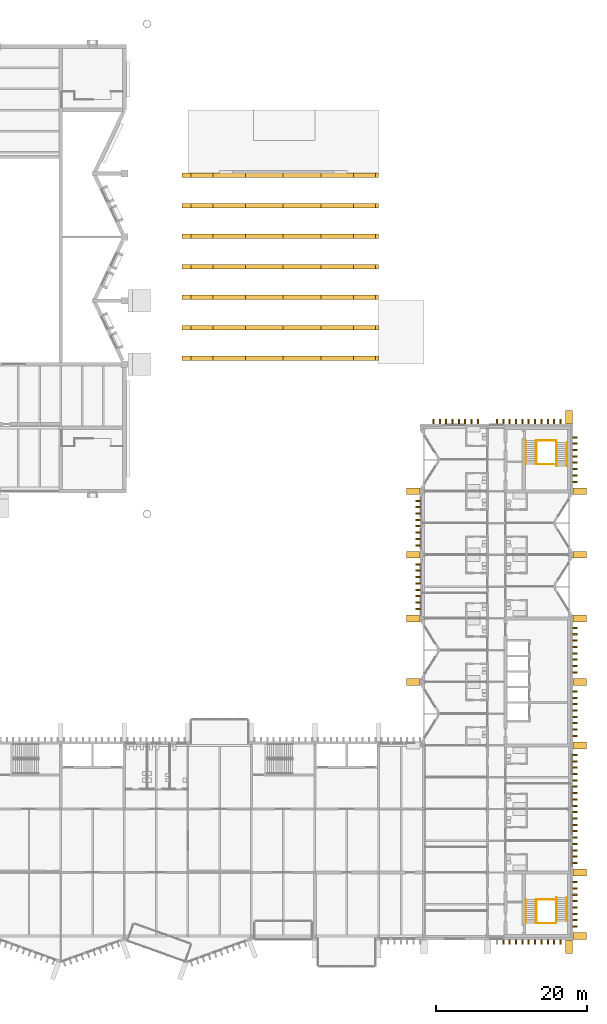
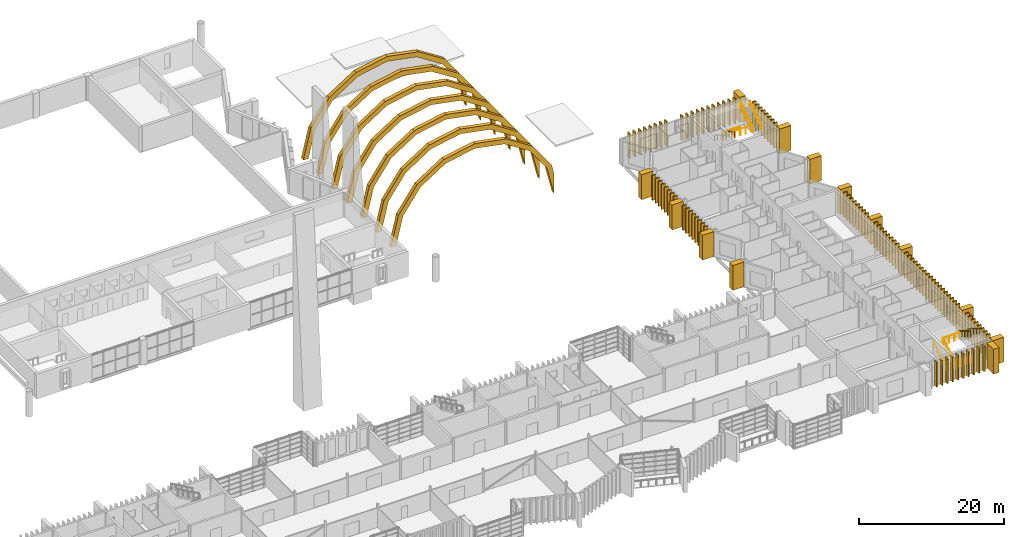
# One storey, part 87 of 88: 115 coverings, 16 railings.
"""IFC4 building model written with IfcOpenShell, lengths in metres."""

from ifc_helpers import new_model, si_unit, direction, frame, origin, origin_2d, place, context, subcontext, project, spatial, polyline, rectangle, circle, outline, extrude, material, type_object, element, save


model = new_model("IFC4")

# Units and contexts
model_context = context("Model", 3, precision=1e-05, world=origin(), true_north=direction((0.0, 1.0)))
body_context = subcontext(model_context, "Body", "Model", "MODEL_VIEW")
ifc_project = project(units=[si_unit("LENGTHUNIT", "METRE"), si_unit("AREAUNIT", "SQUARE_METRE"), si_unit("VOLUMEUNIT", "CUBIC_METRE"), si_unit("PLANEANGLEUNIT", "RADIAN"), si_unit("MASSUNIT", "GRAM", prefix="KILO")], contexts=[model_context])

# Site, building, storey
site_placement = place(None, origin())
site = spatial("IfcSite", under=ifc_project, at=site_placement, CompositionType="ELEMENT")
building_placement = place(site_placement, origin())
building = spatial("IfcBuilding", under=site, at=building_placement, Name="Cresset Court Congress Hotel", CompositionType="ELEMENT")
storey_placement = place(building_placement, frame((0.0, 0.0, 14.39990234375)))
storey = spatial("IfcBuildingStorey", under=building, at=storey_placement, Name="L03", CompositionType="ELEMENT", Elevation=14.39990234375)

# Coverings
ifc_material_1 = material(Name="Precast concrete C50", Category="concrete")
covering_type_1 = type_object("IfcCoveringType", Name="Precast stone fin 200x600", PredefinedType="CLADDING", material=ifc_material_1)
for number, where, z_axis, x_axis, name in (
    (1, (177.199951171875, 1.260009765625, 0.0), (0.0, 0.0, 1.0), (1.0, 0.0, 0.0), "Fin E002"),
    (2, (177.199951171875, 2.10009765625, 0.0), (0.0, 0.0, 1.0), (1.0, 0.0, 0.0), "Fin E003"),
    (3, (177.199951171875, 2.93994140625, 0.0), (0.0, 0.0, 1.0), (1.0, 0.0, 0.0), "Fin E004"),
    (4, (177.199951171875, 3.780029296875, 0.0), (0.0, 0.0, 1.0), (1.0, 0.0, 0.0), "Fin E005"),
    (5, (177.199951171875, 4.6201171875, 0.0), (0.0, 0.0, 1.0), (1.0, 0.0, 0.0), "Fin E006"),
    (6, (177.199951171875, 5.4599609375, 0.0), (0.0, 0.0, 1.0), (1.0, 0.0, 0.0), "Fin E007"),
    (7, (177.199951171875, 6.300048828125, 0.0), (0.0, 0.0, 1.0), (1.0, 0.0, 0.0), "Fin E008"),
    (8, (177.199951171875, 7.139892578125, 0.0), (0.0, 0.0, 1.0), (1.0, 0.0, 0.0), "Fin E009"),
    (9, (177.199951171875, 9.659912109375, 0.0), (0.0, 0.0, 1.0), (1.0, 0.0, 0.0), "Fin E012"),
    (10, (177.199951171875, 10.5, 0.0), (0.0, 0.0, 1.0), (1.0, 0.0, 0.0), "Fin E013"),
    (11, (177.199951171875, 11.340087890625, 0.0), (0.0, 0.0, 1.0), (1.0, 0.0, 0.0), "Fin E014"),
    (12, (177.199951171875, 12.179931640625, 0.0), (0.0, 0.0, 1.0), (1.0, 0.0, 0.0), "Fin E015"),
    (13, (177.199951171875, 13.02001953125, 0.0), (0.0, 0.0, 1.0), (1.0, 0.0, 0.0), "Fin E016"),
    (14, (177.199951171875, 13.860107421875, 0.0), (0.0, 0.0, 1.0), (1.0, 0.0, 0.0), "Fin E017"),
    (15, (177.199951171875, 14.699951171875, 0.0), (0.0, 0.0, 1.0), (1.0, 0.0, 0.0), "Fin E018"),
    (16, (177.199951171875, 15.5400390625, 0.0), (0.0, 0.0, 1.0), (1.0, 0.0, 0.0), "Fin E019"),
    (17, (177.199951171875, 16.3798828125, 0.0), (0.0, 0.0, 1.0), (1.0, 0.0, 0.0), "Fin E020"),
    (18, (177.199951171875, 17.219970703125, 0.0), (0.0, 0.0, 1.0), (1.0, 0.0, 0.0), "Fin E021"),
    (19, (177.199951171875, 18.06005859375, 0.0), (0.0, 0.0, 1.0), (1.0, 0.0, 0.0), "Fin E022"),
    (20, (177.199951171875, 18.89990234375, 0.0), (0.0, 0.0, 1.0), (1.0, 0.0, 0.0), "Fin E023"),
    (21, (177.199951171875, 19.739990234375, 0.0), (0.0, 0.0, 1.0), (1.0, 0.0, 0.0), "Fin E024"),
    (22, (177.199951171875, 20.580078125, 0.0), (0.0, 0.0, 1.0), (1.0, 0.0, 0.0), "Fin E025"),
    (23, (177.199951171875, 21.419921875, 0.0), (0.0, 0.0, 1.0), (1.0, 0.0, 0.0), "Fin E026"),
    (24, (177.199951171875, 22.260009765625, 0.0), (0.0, 0.0, 1.0), (1.0, 0.0, 0.0), "Fin E027"),
    (25, (177.199951171875, 23.10009765625, 0.0), (0.0, 0.0, 1.0), (1.0, 0.0, 0.0), "Fin E028"),
    (26, (177.199951171875, 23.93994140625, 0.0), (0.0, 0.0, 1.0), (1.0, 0.0, 0.0), "Fin E029"),
    (27, (177.199951171875, 26.4599609375, 0.0), (0.0, 0.0, 1.0), (1.0, 0.0, 0.0), "Fin E032"),
    (28, (177.199951171875, 27.300048828125, 0.0), (0.0, 0.0, 1.0), (1.0, 0.0, 0.0), "Fin E033"),
    (29, (177.199951171875, 28.139892578125, 0.0), (0.0, 0.0, 1.0), (1.0, 0.0, 0.0), "Fin E034"),
    (30, (177.199951171875, 28.97998046875, 0.0), (0.0, 0.0, 1.0), (1.0, 0.0, 0.0), "Fin E035"),
    (31, (177.199951171875, 29.820068359375, 0.0), (0.0, 0.0, 1.0), (1.0, 0.0, 0.0), "Fin E036"),
    (32, (177.199951171875, 30.659912109375, 0.0), (0.0, 0.0, 1.0), (1.0, 0.0, 0.0), "Fin E037"),
    (33, (177.199951171875, 31.5, 0.0), (0.0, 0.0, 1.0), (1.0, 0.0, 0.0), "Fin E038"),
    (34, (177.199951171875, 32.340087890625, 0.0), (0.0, 0.0, 1.0), (1.0, 0.0, 0.0), "Fin E039"),
    (35, (177.199951171875, 34.860107421875, 0.0), (0.0, 0.0, 1.0), (1.0, 0.0, 0.0), "Fin E042"),
    (36, (177.199951171875, 35.699951171875, 0.0), (0.0, 0.0, 1.0), (1.0, 0.0, 0.0), "Fin E043"),
    (37, (177.199951171875, 36.5400390625, 0.0), (0.0, 0.0, 1.0), (1.0, 0.0, 0.0), "Fin E044"),
    (38, (177.199951171875, 37.3798828125, 0.0), (0.0, 0.0, 1.0), (1.0, 0.0, 0.0), "Fin E045"),
    (39, (177.199951171875, 38.219970703125, 0.0), (0.0, 0.0, 1.0), (1.0, 0.0, 0.0), "Fin E046"),
    (40, (177.199951171875, 39.06005859375, 0.0), (0.0, 0.0, 1.0), (1.0, 0.0, 0.0), "Fin E047"),
    (41, (177.199951171875, 39.89990234375, 0.0), (0.0, 0.0, 1.0), (1.0, 0.0, 0.0), "Fin E048"),
    (42, (177.199951171875, 40.739990234375, 0.0), (0.0, 0.0, 1.0), (1.0, 0.0, 0.0), "Fin E049"),
    (43, (177.199951171875, 60.06005859375, 0.0), (0.0, 0.0, 1.0), (1.0, 0.0, 0.0), "Fin E072"),
    (44, (177.199951171875, 60.89990234375, 0.0), (0.0, 0.0, 1.0), (1.0, 0.0, 0.0), "Fin E073"),
    (45, (177.199951171875, 61.739990234375, 0.0), (0.0, 0.0, 1.0), (1.0, 0.0, 0.0), "Fin E074"),
    (46, (177.199951171875, 62.580078125, 0.0), (0.0, 0.0, 1.0), (1.0, 0.0, 0.0), "Fin E075"),
    (47, (177.199951171875, 63.419921875, 0.0), (0.0, 0.0, 1.0), (1.0, 0.0, 0.0), "Fin E076"),
    (48, (177.199951171875, 64.260009765625, 0.0), (0.0, 0.0, 1.0), (1.0, 0.0, 0.0), "Fin E077"),
    (49, (177.199951171875, 65.10009765625, 0.0), (0.0, 0.0, 1.0), (1.0, 0.0, 0.0), "Fin E078"),
    (50, (177.199951171875, 65.93994140625, 0.0), (0.0, 0.0, 1.0), (1.0, 0.0, 0.0), "Fin E079"),
    (51, (156.39990234375, 43.260009765625, 0.0), (0.0, 0.0, 1.0), (1.0, 0.0, 0.0), "Fin W052"),
    (52, (156.39990234375, 44.10009765625, 0.0), (0.0, 0.0, 1.0), (1.0, 0.0, 0.0), "Fin W053"),
    (53, (156.39990234375, 44.93994140625, 0.0), (0.0, 0.0, 1.0), (1.0, 0.0, 0.0), "Fin W054"),
    (54, (156.39990234375, 45.780029296875, 0.0), (0.0, 0.0, 1.0), (1.0, 0.0, 0.0), "Fin W055"),
    (55, (156.39990234375, 46.6201171875, 0.0), (0.0, 0.0, 1.0), (1.0, 0.0, 0.0), "Fin W056"),
    (56, (156.39990234375, 47.4599609375, 0.0), (0.0, 0.0, 1.0), (1.0, 0.0, 0.0), "Fin W057"),
    (57, (156.39990234375, 48.300048828125, 0.0), (0.0, 0.0, 1.0), (1.0, 0.0, 0.0), "Fin W058"),
    (58, (156.39990234375, 49.139892578125, 0.0), (0.0, 0.0, 1.0), (1.0, 0.0, 0.0), "Fin W059"),
    (59, (156.39990234375, 51.659912109375, 0.0), (0.0, 0.0, 1.0), (1.0, 0.0, 0.0), "Fin W062"),
    (60, (156.39990234375, 52.5, 0.0), (0.0, 0.0, 1.0), (1.0, 0.0, 0.0), "Fin W063"),
    (61, (156.39990234375, 53.340087890625, 0.0), (0.0, 0.0, 1.0), (1.0, 0.0, 0.0), "Fin W064"),
    (62, (156.39990234375, 54.179931640625, 0.0), (0.0, 0.0, 1.0), (1.0, 0.0, 0.0), "Fin W065"),
    (63, (156.39990234375, 55.02001953125, 0.0), (0.0, 0.0, 1.0), (1.0, 0.0, 0.0), "Fin W066"),
    (64, (156.39990234375, 55.860107421875, 0.0), (0.0, 0.0, 1.0), (1.0, 0.0, 0.0), "Fin W067"),
    (65, (156.39990234375, 56.699951171875, 0.0), (0.0, 0.0, 1.0), (1.0, 0.0, 0.0), "Fin W068"),
    (66, (156.39990234375, 57.5400390625, 0.0), (0.0, 0.0, 1.0), (1.0, 0.0, 0.0), "Fin W069"),
):
    element("IfcCovering", number, at=place(storey_placement, frame(where, z_axis=z_axis, x_axis=x_axis)), inside=storey, type_object=covering_type_1, Name=name, PredefinedType="CLADDING", context=body_context, shape_type="SweptSolid", body=[
        extrude(rectangle(XDim=0.60009765625, YDim=0.199951171875, at=origin_2d()), origin(), (0.0, 0.0, 1.0), 4.199951171875),
    ])
for number, where, z_axis, x_axis, name in (
    (67, (167.699951171875, -0.800048828125, 0.0), (0.0, 0.0, 1.0), (1.0, 0.0, 0.0), "Fin S013"),
    (68, (168.5400390625, -0.800048828125, 0.0), (0.0, 0.0, 1.0), (1.0, 0.0, 0.0), "Fin S014"),
    (69, (169.3798828125, -0.800048828125, 0.0), (0.0, 0.0, 1.0), (1.0, 0.0, 0.0), "Fin S015"),
    (70, (170.219970703125, -0.800048828125, 0.0), (0.0, 0.0, 1.0), (1.0, 0.0, 0.0), "Fin S016"),
    (71, (171.06005859375, -0.800048828125, 0.0), (0.0, 0.0, 1.0), (1.0, 0.0, 0.0), "Fin S017"),
    (72, (171.89990234375, -0.800048828125, 0.0), (0.0, 0.0, 1.0), (1.0, 0.0, 0.0), "Fin S018"),
    (73, (172.739990234375, -0.800048828125, 0.0), (0.0, 0.0, 1.0), (1.0, 0.0, 0.0), "Fin S019"),
    (74, (173.580078125, -0.800048828125, 0.0), (0.0, 0.0, 1.0), (1.0, 0.0, 0.0), "Fin S020"),
    (75, (174.419921875, -0.800048828125, 0.0), (0.0, 0.0, 1.0), (1.0, 0.0, 0.0), "Fin S021"),
    (76, (175.260009765625, -0.800048828125, 0.0), (0.0, 0.0, 1.0), (1.0, 0.0, 0.0), "Fin S022"),
    (77, (158.4599609375, 68.0, 0.0), (0.0, 0.0, 1.0), (1.0, 0.0, 0.0), "Fin N002"),
    (78, (159.300048828125, 68.0, 0.0), (0.0, 0.0, 1.0), (1.0, 0.0, 0.0), "Fin N003"),
    (79, (160.139892578125, 68.0, 0.0), (0.0, 0.0, 1.0), (1.0, 0.0, 0.0), "Fin N004"),
    (80, (160.97998046875, 68.0, 0.0), (0.0, 0.0, 1.0), (1.0, 0.0, 0.0), "Fin N005"),
    (81, (161.820068359375, 68.0, 0.0), (0.0, 0.0, 1.0), (1.0, 0.0, 0.0), "Fin N006"),
    (82, (162.659912109375, 68.0, 0.0), (0.0, 0.0, 1.0), (1.0, 0.0, 0.0), "Fin N007"),
    (83, (163.5, 68.0, 0.0), (0.0, 0.0, 1.0), (1.0, 0.0, 0.0), "Fin N008"),
    (84, (164.340087890625, 68.0, 0.0), (0.0, 0.0, 1.0), (1.0, 0.0, 0.0), "Fin N009"),
    (85, (166.860107421875, 68.0, 0.0), (0.0, 0.0, 1.0), (1.0, 0.0, 0.0), "Fin N012"),
    (86, (167.699951171875, 68.0, 0.0), (0.0, 0.0, 1.0), (1.0, 0.0, 0.0), "Fin N013"),
    (87, (168.5400390625, 68.0, 0.0), (0.0, 0.0, 1.0), (1.0, 0.0, 0.0), "Fin N014"),
    (88, (169.3798828125, 68.0, 0.0), (0.0, 0.0, 1.0), (1.0, 0.0, 0.0), "Fin N015"),
    (89, (170.219970703125, 68.0, 0.0), (0.0, 0.0, 1.0), (1.0, 0.0, 0.0), "Fin N016"),
    (90, (171.06005859375, 68.0, 0.0), (0.0, 0.0, 1.0), (1.0, 0.0, 0.0), "Fin N017"),
    (91, (171.89990234375, 68.0, 0.0), (0.0, 0.0, 1.0), (1.0, 0.0, 0.0), "Fin N018"),
    (92, (172.739990234375, 68.0, 0.0), (0.0, 0.0, 1.0), (1.0, 0.0, 0.0), "Fin N019"),
    (93, (173.580078125, 68.0, 0.0), (0.0, 0.0, 1.0), (1.0, 0.0, 0.0), "Fin N020"),
    (94, (174.419921875, 68.0, 0.0), (0.0, 0.0, 1.0), (1.0, 0.0, 0.0), "Fin N021"),
    (95, (175.260009765625, 68.0, 0.0), (0.0, 0.0, 1.0), (1.0, 0.0, 0.0), "Fin N022"),
):
    element("IfcCovering", number, at=place(storey_placement, frame(where, z_axis=z_axis, x_axis=x_axis)), inside=storey, type_object=covering_type_1, Name=name, PredefinedType="CLADDING", context=body_context, shape_type="SweptSolid", body=[
        extrude(rectangle(XDim=0.199951171875, YDim=0.60009765625, at=origin_2d()), origin(), (0.0, 0.0, 1.0), 4.199951171875),
    ])
ifc_material_2 = material(Name="Precast concrete C50", Category="concrete")
covering_type_2 = type_object("IfcCoveringType", Name="Precast stone pier 900x1800", PredefinedType="CLADDING", material=ifc_material_2)
for number, where, z_axis, x_axis, name in (
    (96, (177.800048828125, 0.0, 0.0), (0.0, 0.0, 1.0), (1.0, 0.0, 0.0), "Pier E01"),
    (97, (177.800048828125, 8.39990234375, 0.0), (0.0, 0.0, 1.0), (1.0, 0.0, 0.0), "Pier E02"),
    (98, (177.800048828125, 25.199951171875, 0.0), (0.0, 0.0, 1.0), (1.0, 0.0, 0.0), "Pier E03"),
    (99, (177.800048828125, 33.60009765625, 0.0), (0.0, 0.0, 1.0), (1.0, 0.0, 0.0), "Pier E04"),
    (100, (177.800048828125, 42.0, 0.0), (0.0, 0.0, 1.0), (1.0, 0.0, 0.0), "Pier E05"),
    (101, (177.800048828125, 50.39990234375, 0.0), (0.0, 0.0, 1.0), (1.0, 0.0, 0.0), "Pier E06"),
    (102, (177.800048828125, 58.800048828125, 0.0), (0.0, 0.0, 1.0), (1.0, 0.0, 0.0), "Pier E07"),
    (103, (155.800048828125, 33.60009765625, 0.0), (0.0, 0.0, 1.0), (1.0, 0.0, 0.0), "Pier W05"),
    (104, (155.800048828125, 42.0, 0.0), (0.0, 0.0, 1.0), (1.0, 0.0, 0.0), "Pier W06"),
    (105, (155.800048828125, 50.39990234375, 0.0), (0.0, 0.0, 1.0), (1.0, 0.0, 0.0), "Pier W07"),
    (106, (155.800048828125, 58.800048828125, 0.0), (0.0, 0.0, 1.0), (1.0, 0.0, 0.0), "Pier W08"),
):
    element("IfcCovering", number, at=place(storey_placement, frame(where, z_axis=z_axis, x_axis=x_axis)), inside=storey, type_object=covering_type_2, Name=name, PredefinedType="CLADDING", context=body_context, shape_type="SweptSolid", body=[
        extrude(rectangle(XDim=1.800048828125, YDim=0.89990234375, at=origin_2d()), origin(), (0.0, 0.0, 1.0), 4.199951171875),
    ])
for number, where, z_axis, x_axis, name in (
    (107, (176.39990234375, -1.39990234375, 0.0), (0.0, 0.0, 1.0), (1.0, 0.0, 0.0), "Pier S03"),
    (108, (176.39990234375, 68.60009765625, 0.0), (0.0, 0.0, 1.0), (1.0, 0.0, 0.0), "Pier N03"),
):
    element("IfcCovering", number, at=place(storey_placement, frame(where, z_axis=z_axis, x_axis=x_axis)), inside=storey, type_object=covering_type_2, Name=name, PredefinedType="CLADDING", context=body_context, shape_type="SweptSolid", body=[
        extrude(rectangle(XDim=0.89990234375, YDim=1.800048828125, at=origin_2d()), origin(), (0.0, 0.0, 1.0), 4.199951171875),
    ])
ifc_material_3 = material(Name="Precast concrete C50", Category="concrete")
covering_type_3 = type_object("IfcCoveringType", Name="Precast vault extrados rib 600x800", PredefinedType="CLADDING", material=ifc_material_3)
for number, where, name in (
    (109, (0.0, 76.39990234375, -14.39990234375), "Vault extrados rib 1"),
    (110, (0.0, 80.433349609375, -14.39990234375), "Vault extrados rib 2"),
    (111, (0.0, 84.466796875, -14.39990234375), "Vault extrados rib 3"),
    (112, (0.0, 88.5, -14.39990234375), "Vault extrados rib 4"),
    (113, (0.0, 92.533203125, -14.39990234375), "Vault extrados rib 5"),
    (114, (0.0, 96.566650390625, -14.39990234375), "Vault extrados rib 6"),
    (115, (0.0, 100.60009765625, -14.39990234375), "Vault extrados rib 7"),
):
    element("IfcCovering", number, at=place(storey_placement, frame(where)), inside=storey, type_object=covering_type_3, Name=name, PredefinedType="CLADDING", context=body_context, shape_type="SweptSolid", body=[
        extrude(outline(polyline([(126.388916015625, 10.974609375), (129.338134765625, 15.110107421875), (133.6123046875, 17.854248046875), (138.60009765625, 18.814697265625), (143.587646484375, 17.854248046875), (147.86181640625, 15.110107421875), (150.811279296875, 10.974609375), (151.199951171875, 9.359130859375), (151.199951171875, 6.0), (150.0703125, 10.635498046875), (147.300048828125, 14.52001953125), (143.28515625, 17.09765625), (138.60009765625, 18.0), (133.914794921875, 17.09765625), (129.89990234375, 14.52001953125), (127.129638671875, 10.635498046875), (126.0, 6.0), (125.200927734375, 6.0390625), (126.388916015625, 10.974609375)])), frame((0.0, 0.300048828125, 0.0), z_axis=(0.0, -1.0, 0.0), x_axis=(1.0, 0.0, 0.0)), (0.0, 0.0, 1.0), 0.60009765625),
    ])

# Railings
ifc_material_4 = material(Name="Stainless steel", Category="steel")
railing_type_1 = type_object("IfcRailingType", Name="Stair guard 1100", PredefinedType="GUARDRAIL", material=ifc_material_4)
railing_1_placement = place(storey_placement, frame((172.10009765625, 1.699951171875, 0.16162109375)))
element("IfcRailing", 116, at=railing_1_placement, inside=storey, type_object=railing_type_1, Name="Guard A1 L03", PredefinedType="GUARDRAIL", context=body_context, shape_type="SweptSolid", body=[
    extrude(circle(Radius=0.02392578125, at=origin_2d()), frame((0.0, 0.0, 1.076171875), z_axis=(0.0, 0.849414166554, 0.527726798313), x_axis=(-1.0, 0.0, 0.0)), (0.0, 0.0, 1.0), 3.67333984375),
    extrude(circle(Radius=0.02099609375, at=origin_2d()), origin(), (0.0, 0.0, 1.0), 1.052001953125),
    extrude(circle(Radius=0.02099609375, at=origin_2d()), frame((0.0, 0.780029296875, 0.484619140625)), (0.0, 0.0, 1.0), 1.052001953125),
    extrude(circle(Radius=0.02099609375, at=origin_2d()), frame((0.0, 1.56005859375, 0.96923828125)), (0.0, 0.0, 1.0), 1.052001953125),
    extrude(circle(Radius=0.02099609375, at=origin_2d()), frame((0.0, 2.340087890625, 1.453857421875)), (0.0, 0.0, 1.0), 1.052001953125),
    extrude(circle(Radius=0.02099609375, at=origin_2d()), frame((0.0, 3.1201171875, 1.9384765625)), (0.0, 0.0, 1.0), 1.052001953125),
])
railing_2_placement = place(storey_placement, frame((174.699951171875, 5.080078125, 2.26171875)))
element("IfcRailing", 117, at=railing_2_placement, inside=storey, type_object=railing_type_1, Name="Guard A1 L03", PredefinedType="GUARDRAIL", context=body_context, shape_type="SweptSolid", body=[
    extrude(circle(Radius=0.02392578125, at=origin_2d()), frame((0.0, 0.0, 1.076171875), z_axis=(0.0, -0.849414166554, 0.527726798313), x_axis=(1.0, 0.0, 0.0)), (0.0, 0.0, 1.0), 3.67333984375),
    extrude(circle(Radius=0.02099609375, at=origin_2d()), origin(), (0.0, 0.0, 1.0), 1.052001953125),
    extrude(circle(Radius=0.02099609375, at=origin_2d()), frame((0.0, -0.780029296875, 0.484619140625)), (0.0, 0.0, 1.0), 1.052001953125),
    extrude(circle(Radius=0.02099609375, at=origin_2d()), frame((0.0, -1.56005859375, 0.96923828125)), (0.0, 0.0, 1.0), 1.052001953125),
    extrude(circle(Radius=0.02099609375, at=origin_2d()), frame((0.0, -2.340087890625, 1.453857421875)), (0.0, 0.0, 1.0), 1.052001953125),
    extrude(circle(Radius=0.02099609375, at=origin_2d()), frame((0.0, -3.1201171875, 1.9384765625)), (0.0, 0.0, 1.0), 1.052001953125),
])
for number, where, name in (
    (118, (172.10009765625, 1.699951171875, 0.0), "Guard A1 L03"),
    (119, (172.10009765625, 4.820068359375, 2.10009765625), "Guard A1 L03"),
):
    element("IfcRailing", number, at=place(storey_placement, frame(where)), inside=storey, type_object=railing_type_1, Name=name, PredefinedType="GUARDRAIL", context=body_context, shape_type="SweptSolid", body=[
        extrude(circle(Radius=0.02392578125, at=origin_2d()), frame((0.0, 0.0, 1.076171875), z_axis=(1.0, 0.0, 0.0), x_axis=(0.0, 1.0, 0.0)), (0.0, 0.0, 1.0), 2.599853515625),
        extrude(circle(Radius=0.02099609375, at=origin_2d()), origin(), (0.0, 0.0, 1.0), 1.052001953125),
        extrude(circle(Radius=0.02099609375, at=origin_2d()), frame((0.86669921875, 0.0, 0.0)), (0.0, 0.0, 1.0), 1.052001953125),
        extrude(circle(Radius=0.02099609375, at=origin_2d()), frame((1.733154296875, 0.0, 0.0)), (0.0, 0.0, 1.0), 1.052001953125),
        extrude(circle(Radius=0.02099609375, at=origin_2d()), frame((2.599853515625, 0.0, 0.0)), (0.0, 0.0, 1.0), 1.052001953125),
    ])
railing_3_placement = place(storey_placement, frame((172.10009765625, 65.5, 0.16162109375)))
element("IfcRailing", 120, at=railing_3_placement, inside=storey, type_object=railing_type_1, Name="Guard A2 L03", PredefinedType="GUARDRAIL", context=body_context, shape_type="SweptSolid", body=[
    extrude(circle(Radius=0.02392578125, at=origin_2d()), frame((0.0, 0.0, 1.076171875), z_axis=(0.0, -0.849414166554, 0.527726798313), x_axis=(1.0, 0.0, 0.0)), (0.0, 0.0, 1.0), 3.67333984375),
    extrude(circle(Radius=0.02099609375, at=origin_2d()), origin(), (0.0, 0.0, 1.0), 1.052001953125),
    extrude(circle(Radius=0.02099609375, at=origin_2d()), frame((0.0, -0.780029296875, 0.484619140625)), (0.0, 0.0, 1.0), 1.052001953125),
    extrude(circle(Radius=0.02099609375, at=origin_2d()), frame((0.0, -1.56005859375, 0.96923828125)), (0.0, 0.0, 1.0), 1.052001953125),
    extrude(circle(Radius=0.02099609375, at=origin_2d()), frame((0.0, -2.340087890625, 1.453857421875)), (0.0, 0.0, 1.0), 1.052001953125),
    extrude(circle(Radius=0.02099609375, at=origin_2d()), frame((0.0, -3.1201171875, 1.9384765625)), (0.0, 0.0, 1.0), 1.052001953125),
])
railing_4_placement = place(storey_placement, frame((174.699951171875, 62.1201171875, 2.26171875)))
element("IfcRailing", 121, at=railing_4_placement, inside=storey, type_object=railing_type_1, Name="Guard A2 L03", PredefinedType="GUARDRAIL", context=body_context, shape_type="SweptSolid", body=[
    extrude(circle(Radius=0.02392578125, at=origin_2d()), frame((0.0, 0.0, 1.076171875), z_axis=(0.0, 0.849395654964, 0.52775659288), x_axis=(-1.0, 0.0, 0.0)), (0.0, 0.0, 1.0), 3.673095703125),
    extrude(circle(Radius=0.02099609375, at=origin_2d()), origin(), (0.0, 0.0, 1.0), 1.052001953125),
    extrude(circle(Radius=0.02099609375, at=origin_2d()), frame((0.0, 0.780029296875, 0.484619140625)), (0.0, 0.0, 1.0), 1.052001953125),
    extrude(circle(Radius=0.02099609375, at=origin_2d()), frame((0.0, 1.56005859375, 0.96923828125)), (0.0, 0.0, 1.0), 1.052001953125),
    extrude(circle(Radius=0.02099609375, at=origin_2d()), frame((0.0, 2.33984375, 1.453857421875)), (0.0, 0.0, 1.0), 1.052001953125),
    extrude(circle(Radius=0.02099609375, at=origin_2d()), frame((0.0, 3.119873046875, 1.9384765625)), (0.0, 0.0, 1.0), 1.052001953125),
])
for number, where, name in (
    (122, (172.10009765625, 65.5, 0.0), "Guard A2 L03"),
    (123, (172.10009765625, 62.3798828125, 2.10009765625), "Guard A2 L03"),
):
    element("IfcRailing", number, at=place(storey_placement, frame(where)), inside=storey, type_object=railing_type_1, Name=name, PredefinedType="GUARDRAIL", context=body_context, shape_type="SweptSolid", body=[
        extrude(circle(Radius=0.02392578125, at=origin_2d()), frame((0.0, 0.0, 1.076171875), z_axis=(1.0, 0.0, 0.0), x_axis=(0.0, 1.0, 0.0)), (0.0, 0.0, 1.0), 2.599853515625),
        extrude(circle(Radius=0.02099609375, at=origin_2d()), origin(), (0.0, 0.0, 1.0), 1.052001953125),
        extrude(circle(Radius=0.02099609375, at=origin_2d()), frame((0.86669921875, 0.0, 0.0)), (0.0, 0.0, 1.0), 1.052001953125),
        extrude(circle(Radius=0.02099609375, at=origin_2d()), frame((1.733154296875, 0.0, 0.0)), (0.0, 0.0, 1.0), 1.052001953125),
        extrude(circle(Radius=0.02099609375, at=origin_2d()), frame((2.599853515625, 0.0, 0.0)), (0.0, 0.0, 1.0), 1.052001953125),
    ])
ifc_material_5 = material(Name="Stainless steel", Category="steel")
railing_type_2 = type_object("IfcRailingType", Name="Stair handrail 900", PredefinedType="HANDRAIL", material=ifc_material_5)
for number, where, name in (
    (124, (170.659912109375, 1.699951171875, 0.16162109375), "Handrail A1 L03"),
    (125, (172.0400390625, 1.699951171875, 0.16162109375), "Handrail A1 L03"),
):
    element("IfcRailing", number, at=place(storey_placement, frame(where)), inside=storey, type_object=railing_type_2, Name=name, PredefinedType="HANDRAIL", context=body_context, shape_type="SweptSolid", body=[
        extrude(circle(Radius=0.02392578125, at=origin_2d()), frame((0.0, 0.0, 0.8759765625), z_axis=(0.0, 0.849414166554, 0.527726798313), x_axis=(-1.0, 0.0, 0.0)), (0.0, 0.0, 1.0), 3.67333984375),
        extrude(circle(Radius=0.02099609375, at=origin_2d()), origin(), (0.0, 0.0, 1.0), 0.851806640625),
        extrude(circle(Radius=0.02099609375, at=origin_2d()), frame((0.0, 0.780029296875, 0.484619140625)), (0.0, 0.0, 1.0), 0.851806640625),
        extrude(circle(Radius=0.02099609375, at=origin_2d()), frame((0.0, 1.56005859375, 0.96923828125)), (0.0, 0.0, 1.0), 0.851806640625),
        extrude(circle(Radius=0.02099609375, at=origin_2d()), frame((0.0, 2.340087890625, 1.453857421875)), (0.0, 0.0, 1.0), 0.851806640625),
        extrude(circle(Radius=0.02099609375, at=origin_2d()), frame((0.0, 3.1201171875, 1.9384765625)), (0.0, 0.0, 1.0), 0.851806640625),
    ])
for number, where, name in (
    (126, (174.760009765625, 5.080078125, 2.26171875), "Handrail A1 L03"),
    (127, (176.139892578125, 5.080078125, 2.26171875), "Handrail A1 L03"),
    (128, (170.659912109375, 65.5, 0.16162109375), "Handrail A2 L03"),
    (129, (172.0400390625, 65.5, 0.16162109375), "Handrail A2 L03"),
):
    element("IfcRailing", number, at=place(storey_placement, frame(where)), inside=storey, type_object=railing_type_2, Name=name, PredefinedType="HANDRAIL", context=body_context, shape_type="SweptSolid", body=[
        extrude(circle(Radius=0.02392578125, at=origin_2d()), frame((0.0, 0.0, 0.8759765625), z_axis=(0.0, -0.849414166554, 0.527726798313), x_axis=(1.0, 0.0, 0.0)), (0.0, 0.0, 1.0), 3.67333984375),
        extrude(circle(Radius=0.02099609375, at=origin_2d()), origin(), (0.0, 0.0, 1.0), 0.851806640625),
        extrude(circle(Radius=0.02099609375, at=origin_2d()), frame((0.0, -0.780029296875, 0.484619140625)), (0.0, 0.0, 1.0), 0.851806640625),
        extrude(circle(Radius=0.02099609375, at=origin_2d()), frame((0.0, -1.56005859375, 0.96923828125)), (0.0, 0.0, 1.0), 0.851806640625),
        extrude(circle(Radius=0.02099609375, at=origin_2d()), frame((0.0, -2.340087890625, 1.453857421875)), (0.0, 0.0, 1.0), 0.851806640625),
        extrude(circle(Radius=0.02099609375, at=origin_2d()), frame((0.0, -3.1201171875, 1.9384765625)), (0.0, 0.0, 1.0), 0.851806640625),
    ])
for number, where, name in (
    (130, (174.760009765625, 62.1201171875, 2.26171875), "Handrail A2 L03"),
    (131, (176.139892578125, 62.1201171875, 2.26171875), "Handrail A2 L03"),
):
    element("IfcRailing", number, at=place(storey_placement, frame(where)), inside=storey, type_object=railing_type_2, Name=name, PredefinedType="HANDRAIL", context=body_context, shape_type="SweptSolid", body=[
        extrude(circle(Radius=0.02392578125, at=origin_2d()), frame((0.0, 0.0, 0.8759765625), z_axis=(0.0, 0.849395654964, 0.52775659288), x_axis=(-1.0, 0.0, 0.0)), (0.0, 0.0, 1.0), 3.673095703125),
        extrude(circle(Radius=0.02099609375, at=origin_2d()), origin(), (0.0, 0.0, 1.0), 0.851806640625),
        extrude(circle(Radius=0.02099609375, at=origin_2d()), frame((0.0, 0.780029296875, 0.484619140625)), (0.0, 0.0, 1.0), 0.851806640625),
        extrude(circle(Radius=0.02099609375, at=origin_2d()), frame((0.0, 1.56005859375, 0.96923828125)), (0.0, 0.0, 1.0), 0.851806640625),
        extrude(circle(Radius=0.02099609375, at=origin_2d()), frame((0.0, 2.33984375, 1.453857421875)), (0.0, 0.0, 1.0), 0.851806640625),
        extrude(circle(Radius=0.02099609375, at=origin_2d()), frame((0.0, 3.119873046875, 1.9384765625)), (0.0, 0.0, 1.0), 0.851806640625),
    ])

save(model, "model.ifc")
